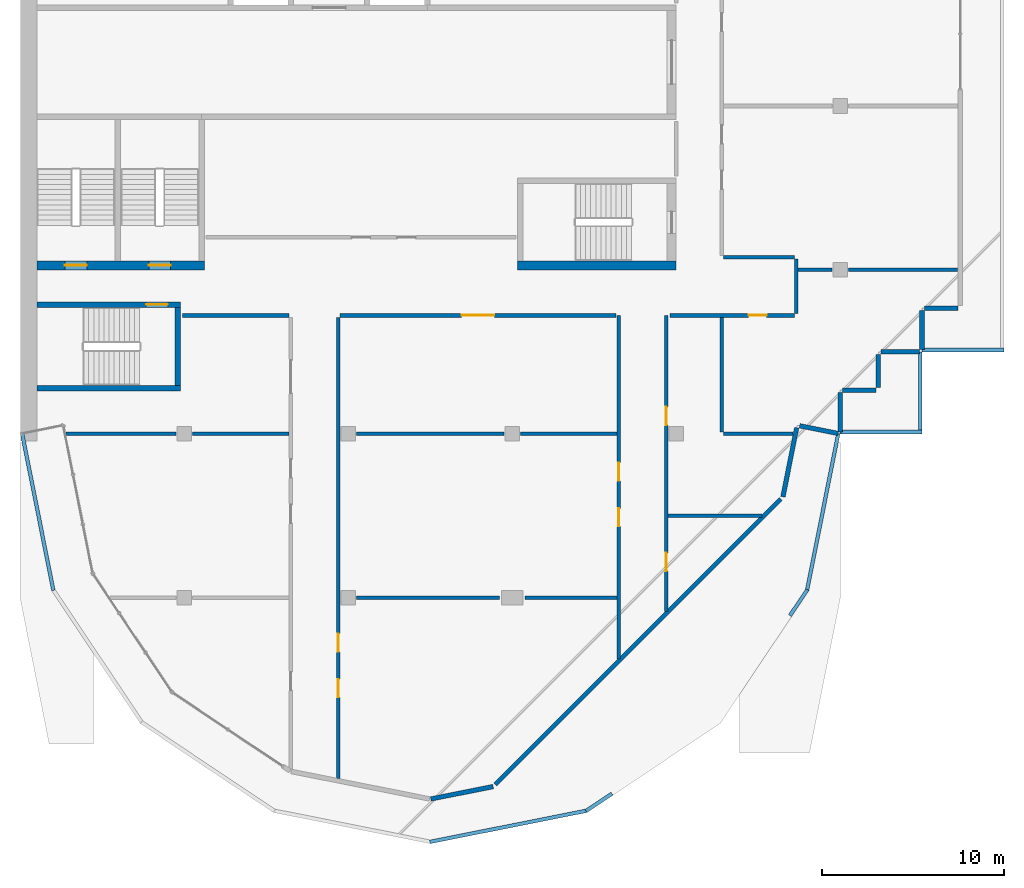
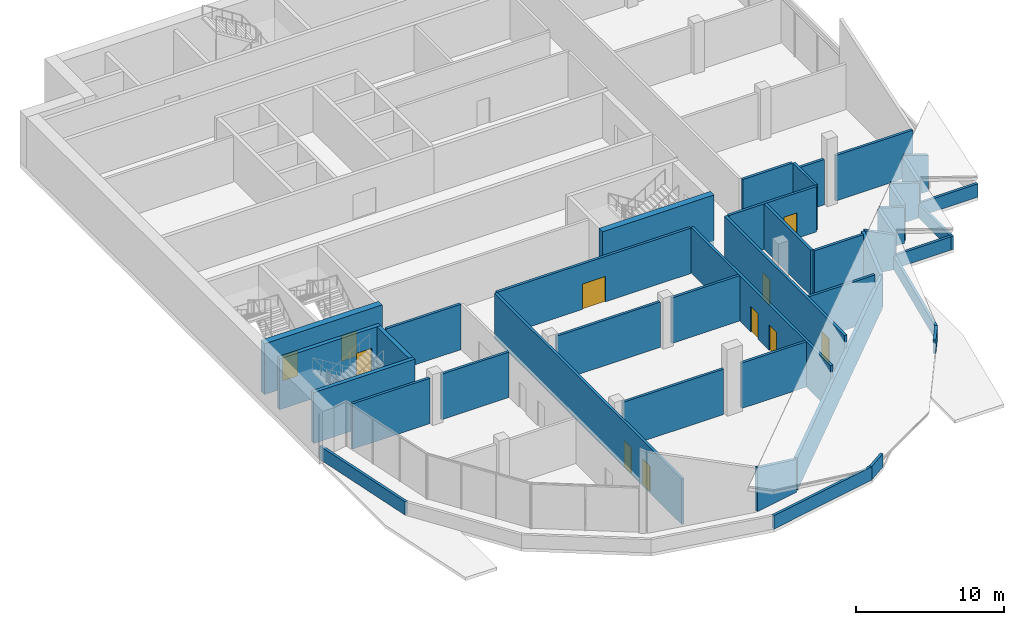
# One storey, part 5 of 11: 42 walls, 11 doors, 11 openings.
"""IFC4 building model written with IfcOpenShell, lengths in metres."""

from ifc_helpers import new_model, si_unit, direction, frame, frame_2d, origin, place, context, subcontext, project, spatial, polyline, rectangle, outline, extrude, material, layer, layer_set, type_object, element, fill, save


model = new_model("IFC4")

# Units and contexts
model_context = context("Model", 3, precision=1e-05, world=origin(), true_north=direction((0.0, 1.0)))
body_context = subcontext(model_context, "Body", "Model", "MODEL_VIEW")
ifc_project = project(units=[si_unit("LENGTHUNIT", "METRE"), si_unit("AREAUNIT", "SQUARE_METRE"), si_unit("VOLUMEUNIT", "CUBIC_METRE"), si_unit("PLANEANGLEUNIT", "RADIAN"), si_unit("MASSUNIT", "GRAM", prefix="KILO")], contexts=[model_context])

# Site, building, storey
site_placement = place(None, origin())
site = spatial("IfcSite", under=ifc_project, at=site_placement, CompositionType="ELEMENT")
building_placement = place(site_placement, origin())
building = spatial("IfcBuilding", under=site, at=building_placement, Name="Hunhe Ridgeline Campus", CompositionType="ELEMENT")
storey_placement = place(building_placement, frame((0.0, 0.0, 303.0)))
storey = spatial("IfcBuildingStorey", under=building, at=storey_placement, Name="L78 Crown", CompositionType="ELEMENT", Elevation=303.0)

# Wall, openings, doors
ifc_material_1 = material(Name="Concrete C50", Category="concrete")
ifc_layer_1 = layer(ifc_material_1, 0.5)
ifc_layer_set_1 = layer_set([ifc_layer_1], Name="Core wall 500 reinforced concrete C50")
wall_type_1 = type_object("IfcWallType", Name="Core wall 500 reinforced concrete C50", PredefinedType="SOLIDWALL", material=ifc_layer_set_1)
wall_1_placement = place(storey_placement, frame((0.89990234375, 63.25, -0.449951171875), z_axis=(0.0, 0.0, 1.0), x_axis=(1.0, 0.0, 0.0)))
wall_1 = element("IfcWall", 1, at=wall_1_placement, inside=storey, type_object=wall_type_1, Name="L78 Crown core wall 3", PredefinedType="SOLIDWALL", context=body_context, shape_type="SweptSolid", body=[
    extrude(rectangle(XDim=9.2001953125, YDim=0.5, at=frame_2d((4.60009765625, 0.0))), origin(), (0.0, 0.0, 1.0), 4.199951171875),
])
opening_1_placement = place(wall_1_placement, frame((1.550048828125, 0.0, 0.449951171875)))
opening_1 = element("IfcOpeningElement", 2, at=opening_1_placement, cuts=wall_1, Name="Opening CD13", PredefinedType="OPENING", context=body_context, shape_type="SweptSolid", body=[
    extrude(rectangle(XDim=1.199951171875, YDim=2.10009765625, at=frame_2d((0.60009765625, 1.050048828125))), frame((0.0, 0.25, 0.0), z_axis=(0.0, -1.0, 0.0), x_axis=(1.0, 0.0, 0.0)), (0.0, 0.0, 1.0), 0.5),
])
opening_2_placement = place(wall_1_placement, frame((6.14990234375, 0.0, 0.449951171875)))
opening_2 = element("IfcOpeningElement", 3, at=opening_2_placement, cuts=wall_1, Name="Opening CD14", PredefinedType="OPENING", context=body_context, shape_type="SweptSolid", body=[
    extrude(rectangle(XDim=1.199951171875, YDim=2.10009765625, at=frame_2d((0.60009765625, 1.050048828125))), frame((0.0, 0.25, 0.0), z_axis=(0.0, -1.0, 0.0), x_axis=(1.0, 0.0, 0.0)), (0.0, 0.0, 1.0), 0.5),
])
ifc_material_2 = material(Name="Hollow metal fire door leaf")
door_type_1 = type_object("IfcDoorType", Name="Stair door 1200x2100 FD60", OperationType="SINGLE_SWING_LEFT", PredefinedType="DOOR", material=ifc_material_2)
door_1_placement = place(opening_1_placement, frame((1.199951171875, 0.0, 0.0), z_axis=(0.0, 0.0, 1.0), x_axis=(-1.0, 0.0, 0.0)))
door_1 = element("IfcDoor", 4, at=door_1_placement, inside=storey, type_object=door_type_1, Name="L78 Crown door S3", OperationType="SINGLE_SWING_RIGHT", OverallHeight=2.10009765625, OverallWidth=1.199951171875, PredefinedType="DOOR", context=body_context, shape_type="SweptSolid", body=[
    extrude(rectangle(XDim=1.199951171875, YDim=2.10009765625, at=frame_2d((0.60009765625, 1.050048828125))), frame((0.0, 0.02490234375, 0.0), z_axis=(0.0, -1.0, 0.0), x_axis=(1.0, 0.0, 0.0)), (0.0, 0.0, 1.0), 0.050048828125),
])
fill(opening_1, door_1)
door_2_placement = place(opening_2_placement, frame((1.199951171875, 0.0, 0.0), z_axis=(0.0, 0.0, 1.0), x_axis=(-1.0, 0.0, 0.0)))
door_2 = element("IfcDoor", 5, at=door_2_placement, inside=storey, type_object=door_type_1, Name="L78 Crown door S4", OperationType="SINGLE_SWING_LEFT", OverallHeight=2.10009765625, OverallWidth=1.199951171875, PredefinedType="DOOR", context=body_context, shape_type="SweptSolid", body=[
    extrude(rectangle(XDim=1.199951171875, YDim=2.10009765625, at=frame_2d((0.60009765625, 1.050048828125))), frame((0.0, 0.02490234375, 0.0), z_axis=(0.0, -1.0, 0.0), x_axis=(1.0, 0.0, 0.0)), (0.0, 0.0, 1.0), 0.050048828125),
])
fill(opening_2, door_2)

# Walls
wall_2_placement = place(storey_placement, frame((27.300048828125, 63.25, -0.449951171875), z_axis=(0.0, 0.0, 1.0), x_axis=(1.0, 0.0, 0.0)))
element("IfcWall", 6, at=wall_2_placement, inside=storey, type_object=wall_type_1, Name="L78 Crown core wall 4", PredefinedType="SOLIDWALL", context=body_context, shape_type="SweptSolid", body=[
    extrude(rectangle(XDim=8.699951171875, YDim=0.5, at=frame_2d((4.35009765625, 0.0))), origin(), (0.0, 0.0, 1.0), 4.199951171875),
])
ifc_material_3 = material(Name="Gypsum board partition")
ifc_layer_2 = layer(ifc_material_3, 0.199951171875)
ifc_layer_set_2 = layer_set([ifc_layer_2], Name="Corridor partition 200 gypsum board on steel studs")
wall_type_2 = type_object("IfcWallType", Name="Corridor partition 200 gypsum board on steel studs", PredefinedType="PARTITIONING", material=ifc_layer_set_2)
wall_3_placement = place(storey_placement, frame((18.449951171875, 45.0, 0.0), z_axis=(0.0, 0.0, 1.0), x_axis=(1.0, 0.0, 0.0)))
element("IfcWall", 7, at=wall_3_placement, inside=storey, type_object=wall_type_2, Name="F-L78 Crown-wall-003", PredefinedType="PARTITIONING", context=body_context, shape_type="SweptSolid", body=[
    extrude(rectangle(XDim=7.85009765625, YDim=0.199951171875, at=frame_2d((3.925048828125, 0.0))), origin(), (0.0, 0.0, 1.0), 3.75),
])
wall_4_placement = place(storey_placement, frame((27.699951171875, 45.0, 0.0), z_axis=(0.0, 0.0, 1.0), x_axis=(1.0, 0.0, 0.0)))
element("IfcWall", 8, at=wall_4_placement, inside=storey, type_object=wall_type_2, Name="F-L78 Crown-wall-004", PredefinedType="PARTITIONING", context=body_context, shape_type="SweptSolid", body=[
    extrude(rectangle(XDim=5.050048828125, YDim=0.199951171875, at=frame_2d((2.52490234375, 0.0))), origin(), (0.0, 0.0, 1.0), 3.75),
])
wall_5_placement = place(storey_placement, frame((35.550048828125, 49.5, 0.0), z_axis=(0.0, 0.0, 1.0), x_axis=(1.0, 0.0, 0.0)))
element("IfcWall", 9, at=wall_5_placement, inside=storey, type_object=wall_type_2, Name="F-L78 Crown-wall-005", PredefinedType="PARTITIONING", context=body_context, shape_type="SweptSolid", body=[
    extrude(rectangle(XDim=5.1650390625, YDim=0.199951171875, at=frame_2d((2.58251953125, 0.0))), origin(), (0.0, 0.0, 1.0), 3.75),
])
wall_6_placement = place(storey_placement, frame((2.503173828125, 54.0, 0.0), z_axis=(0.0, 0.0, 1.0), x_axis=(1.0, 0.0, 0.0)))
element("IfcWall", 10, at=wall_6_placement, inside=storey, type_object=wall_type_2, Name="F-L78 Crown-wall-006", PredefinedType="PARTITIONING", context=body_context, shape_type="SweptSolid", body=[
    extrude(rectangle(XDim=6.046875, YDim=0.199951171875, at=frame_2d((3.0234375, 0.0))), origin(), (0.0, 0.0, 1.0), 3.75),
])
wall_7_placement = place(storey_placement, frame((9.449951171875, 54.0, 0.0), z_axis=(0.0, 0.0, 1.0), x_axis=(1.0, 0.0, 0.0)))
element("IfcWall", 11, at=wall_7_placement, inside=storey, type_object=wall_type_2, Name="F-L78 Crown-wall-007", PredefinedType="PARTITIONING", context=body_context, shape_type="SweptSolid", body=[
    extrude(rectangle(XDim=5.300048828125, YDim=0.199951171875, at=frame_2d((2.64990234375, 0.0))), origin(), (0.0, 0.0, 1.0), 3.75),
])
wall_8_placement = place(storey_placement, frame((18.449951171875, 54.0, 0.0), z_axis=(0.0, 0.0, 1.0), x_axis=(1.0, 0.0, 0.0)))
element("IfcWall", 12, at=wall_8_placement, inside=storey, type_object=wall_type_2, Name="F-L78 Crown-wall-008", PredefinedType="PARTITIONING", context=body_context, shape_type="SweptSolid", body=[
    extrude(rectangle(XDim=8.10009765625, YDim=0.199951171875, at=frame_2d((4.050048828125, 0.0))), origin(), (0.0, 0.0, 1.0), 3.75),
])
wall_9_placement = place(storey_placement, frame((27.449951171875, 54.0, 0.0), z_axis=(0.0, 0.0, 1.0), x_axis=(1.0, 0.0, 0.0)))
element("IfcWall", 13, at=wall_9_placement, inside=storey, type_object=wall_type_2, Name="F-L78 Crown-wall-009", PredefinedType="PARTITIONING", context=body_context, shape_type="SweptSolid", body=[
    extrude(rectangle(XDim=5.300048828125, YDim=0.199951171875, at=frame_2d((2.64990234375, 0.0))), origin(), (0.0, 0.0, 1.0), 3.75),
])
wall_10_placement = place(storey_placement, frame((38.60009765625, 54.0, 0.0), z_axis=(0.0, 0.0, 1.0), x_axis=(1.0, 0.0, 0.0)))
element("IfcWall", 14, at=wall_10_placement, inside=storey, type_object=wall_type_2, Name="F-L78 Crown-wall-010", PredefinedType="PARTITIONING", context=body_context, shape_type="SweptSolid", body=[
    extrude(rectangle(XDim=3.823974609375, YDim=0.199951171875, at=frame_2d((1.912109375, 0.0))), origin(), (0.0, 0.0, 1.0), 3.75),
])
wall_11_placement = place(storey_placement, frame((14.75, 60.5, 0.0), z_axis=(0.0, 0.0, 1.0), x_axis=(-1.0, 0.0, 0.0)))
element("IfcWall", 15, at=wall_11_placement, inside=storey, type_object=wall_type_2, Name="F-L78 Crown-wall-011", PredefinedType="PARTITIONING", context=body_context, shape_type="SweptSolid", body=[
    extrude(rectangle(XDim=5.845947265625, YDim=0.199951171875, at=frame_2d((2.9228515625, 0.0))), origin(), (0.0, 0.0, 1.0), 3.75),
])

# Wall, opening, door
wall_12_placement = place(storey_placement, frame((32.689453125, 60.5, 0.0), z_axis=(0.0, 0.0, 1.0), x_axis=(-1.0, 0.0, 0.0)))
wall_12 = element("IfcWall", 16, at=wall_12_placement, inside=storey, type_object=wall_type_2, Name="F-L78 Crown-wall-012", PredefinedType="PARTITIONING", context=body_context, shape_type="SweptSolid", body=[
    extrude(rectangle(XDim=15.139404296875, YDim=0.199951171875, at=frame_2d((7.56982421875, 0.0))), origin(), (0.0, 0.0, 1.0), 3.75),
])
opening_3_placement = place(wall_12_placement, frame((6.669677734375, 0.0, 0.0)))
opening_3 = element("IfcOpeningElement", 17, at=opening_3_placement, cuts=wall_12, Name="Opening RD2-011", PredefinedType="OPENING", context=body_context, shape_type="SweptSolid", body=[
    extrude(rectangle(XDim=1.800048828125, YDim=2.10009765625, at=frame_2d((0.89990234375, 1.050048828125))), frame((0.0, 0.10009765625, 0.0), z_axis=(0.0, -1.0, 0.0), x_axis=(1.0, 0.0, 0.0)), (0.0, 0.0, 1.0), 0.199951171875),
])
ifc_material_4 = material(Name="Timber door leaf", Category="wood")
door_type_2 = type_object("IfcDoorType", Name="Double fire door 1800x2100 timber FD60", OperationType="DOUBLE_DOOR_SINGLE_SWING", PredefinedType="DOOR", material=ifc_material_4)
door_3_placement = place(opening_3_placement, origin())
door_3 = element("IfcDoor", 18, at=door_3_placement, inside=storey, type_object=door_type_2, Name="F-L78 Crown-door-011", OperationType="DOUBLE_DOOR_SINGLE_SWING", OverallHeight=2.10009765625, OverallWidth=1.800048828125, PredefinedType="DOOR", context=body_context, shape_type="SweptSolid", body=[
    extrude(rectangle(XDim=1.800048828125, YDim=2.10009765625, at=frame_2d((0.89990234375, 1.050048828125))), frame((0.0, 0.02490234375, 0.0), z_axis=(0.0, -1.0, 0.0), x_axis=(1.0, 0.0, 0.0)), (0.0, 0.0, 1.0), 0.050048828125),
])
fill(opening_3, door_3)

wall_13_placement = place(storey_placement, frame((42.5, 60.5, 0.0), z_axis=(0.0, 0.0, 1.0), x_axis=(-1.0, 0.0, 0.0)))
wall_13 = element("IfcWall", 19, at=wall_13_placement, inside=storey, type_object=wall_type_2, Name="F-L78 Crown-wall-013", PredefinedType="PARTITIONING", context=body_context, shape_type="SweptSolid", body=[
    extrude(rectangle(XDim=6.83740234375, YDim=0.199951171875, at=frame_2d((3.418701171875, 0.0))), origin(), (0.0, 0.0, 1.0), 3.75),
])
opening_4_placement = place(wall_13_placement, frame((1.52587890625, 0.0, 0.0)))
opening_4 = element("IfcOpeningElement", 20, at=opening_4_placement, cuts=wall_13, Name="Opening RD1-012", PredefinedType="OPENING", context=body_context, shape_type="SweptSolid", body=[
    extrude(rectangle(XDim=1.0, YDim=2.10009765625, at=frame_2d((0.5, 1.050048828125))), frame((0.0, 0.10009765625, 0.0), z_axis=(0.0, -1.0, 0.0), x_axis=(1.0, 0.0, 0.0)), (0.0, 0.0, 1.0), 0.199951171875),
])
door_type_3 = type_object("IfcDoorType", Name="Single fire door 1000x2100 timber FD60", OperationType="NOTDEFINED", PredefinedType="DOOR", material=ifc_material_4)
door_4_placement = place(opening_4_placement, frame((1.0, 0.0, 0.0), z_axis=(0.0, 0.0, 1.0), x_axis=(-1.0, 0.0, 0.0)))
door_4 = element("IfcDoor", 21, at=door_4_placement, inside=storey, type_object=door_type_3, Name="F-L78 Crown-door-012", OperationType="SINGLE_SWING_RIGHT", OverallHeight=2.10009765625, OverallWidth=1.0, PredefinedType="DOOR", context=body_context, shape_type="SweptSolid", body=[
    extrude(rectangle(XDim=1.0, YDim=2.10009765625, at=frame_2d((0.5, 1.050048828125))), frame((0.0, 0.02490234375, 0.0), z_axis=(0.0, -1.0, 0.0), x_axis=(1.0, 0.0, 0.0)), (0.0, 0.0, 1.0), 0.050048828125),
])
fill(opening_4, door_4)

# Walls
wall_14_placement = place(storey_placement, frame((42.699951171875, 63.0, 0.0), z_axis=(0.0, 0.0, 1.0), x_axis=(1.0, 0.0, 0.0)))
element("IfcWall", 22, at=wall_14_placement, inside=storey, type_object=wall_type_2, Name="F-L78 Crown-wall-014", PredefinedType="PARTITIONING", context=body_context, shape_type="SweptSolid", body=[
    extrude(rectangle(XDim=1.85009765625, YDim=0.199951171875, at=frame_2d((0.925048828125, 0.0))), origin(), (0.0, 0.0, 1.0), 3.75),
])
wall_15_placement = place(storey_placement, frame((45.449951171875, 63.0, 0.0), z_axis=(0.0, 0.0, 1.0), x_axis=(1.0, 0.0, 0.0)))
element("IfcWall", 23, at=wall_15_placement, inside=storey, type_object=wall_type_2, Name="F-L78 Crown-wall-015", PredefinedType="PARTITIONING", context=body_context, shape_type="SweptSolid", body=[
    extrude(rectangle(XDim=6.004150390625, YDim=0.199951171875, at=frame_2d((3.001953125, 0.0))), origin(), (0.0, 0.0, 1.0), 3.75),
])
wall_16_placement = place(storey_placement, frame((38.60009765625, 63.699951171875, 0.0), z_axis=(0.0, 0.0, 1.0), x_axis=(1.0, 0.0, 0.0)))
element("IfcWall", 24, at=wall_16_placement, inside=storey, type_object=wall_type_2, Name="F-L78 Crown-wall-016", PredefinedType="PARTITIONING", context=body_context, shape_type="SweptSolid", body=[
    extrude(rectangle(XDim=3.89990234375, YDim=0.199951171875, at=frame_2d((1.949951171875, 0.0))), origin(), (0.0, 0.0, 1.0), 3.75),
])

# Wall, openings, doors
wall_17_placement = place(storey_placement, frame((17.449951171875, 60.39990234375, 0.0), z_axis=(0.0, 0.0, 1.0), x_axis=(0.0, -1.0, 0.0)))
wall_17 = element("IfcWall", 25, at=wall_17_placement, inside=storey, type_object=wall_type_2, Name="F-L78 Crown-wall-028", PredefinedType="PARTITIONING", context=body_context, shape_type="SweptSolid", body=[
    extrude(rectangle(XDim=25.3193359375, YDim=0.199951171875, at=frame_2d((12.65966796875, 0.0))), origin(), (0.0, 0.0, 1.0), 3.75),
])
opening_5_placement = place(wall_17_placement, frame((19.8642578125, 0.0, 0.0)))
opening_5 = element("IfcOpeningElement", 26, at=opening_5_placement, cuts=wall_17, Name="Opening RD1-001", PredefinedType="OPENING", context=body_context, shape_type="SweptSolid", body=[
    extrude(rectangle(XDim=1.0, YDim=2.10009765625, at=frame_2d((0.5, 1.050048828125))), frame((0.0, 0.10009765625, 0.0), z_axis=(0.0, -1.0, 0.0), x_axis=(1.0, 0.0, 0.0)), (0.0, 0.0, 1.0), 0.199951171875),
])
opening_6_placement = place(wall_17_placement, frame((17.3642578125, 0.0, 0.0)))
opening_6 = element("IfcOpeningElement", 27, at=opening_6_placement, cuts=wall_17, Name="Opening RD1-003", PredefinedType="OPENING", context=body_context, shape_type="SweptSolid", body=[
    extrude(rectangle(XDim=1.0, YDim=2.10009765625, at=frame_2d((0.5, 1.050048828125))), frame((0.0, 0.10009765625, 0.0), z_axis=(0.0, -1.0, 0.0), x_axis=(1.0, 0.0, 0.0)), (0.0, 0.0, 1.0), 0.199951171875),
])
door_5_placement = place(opening_5_placement, frame((1.0, 0.0, 0.0), z_axis=(0.0, 0.0, 1.0), x_axis=(-1.0, 0.0, 0.0)))
door_5 = element("IfcDoor", 28, at=door_5_placement, inside=storey, type_object=door_type_3, Name="F-L78 Crown-door-001", OperationType="SINGLE_SWING_RIGHT", OverallHeight=2.10009765625, OverallWidth=1.0, PredefinedType="DOOR", context=body_context, shape_type="SweptSolid", body=[
    extrude(rectangle(XDim=1.0, YDim=2.10009765625, at=frame_2d((0.5, 1.050048828125))), frame((0.0, 0.02490234375, 0.0), z_axis=(0.0, -1.0, 0.0), x_axis=(1.0, 0.0, 0.0)), (0.0, 0.0, 1.0), 0.050048828125),
])
fill(opening_5, door_5)
door_6_placement = place(opening_6_placement, frame((1.0, 0.0, 0.0), z_axis=(0.0, 0.0, 1.0), x_axis=(-1.0, 0.0, 0.0)))
door_6 = element("IfcDoor", 29, at=door_6_placement, inside=storey, type_object=door_type_3, Name="F-L78 Crown-door-003", OperationType="SINGLE_SWING_RIGHT", OverallHeight=2.10009765625, OverallWidth=1.0, PredefinedType="DOOR", context=body_context, shape_type="SweptSolid", body=[
    extrude(rectangle(XDim=1.0, YDim=2.10009765625, at=frame_2d((0.5, 1.050048828125))), frame((0.0, 0.02490234375, 0.0), z_axis=(0.0, -1.0, 0.0), x_axis=(1.0, 0.0, 0.0)), (0.0, 0.0, 1.0), 0.050048828125),
])
fill(opening_6, door_6)

wall_18_placement = place(storey_placement, frame((32.85009765625, 41.634765625, 0.0), z_axis=(0.0, 0.0, 1.0), x_axis=(0.0, 1.0, 0.0)))
wall_18 = element("IfcWall", 30, at=wall_18_placement, inside=storey, type_object=wall_type_2, Name="F-L78 Crown-wall-030", PredefinedType="PARTITIONING", context=body_context, shape_type="SweptSolid", body=[
    extrude(rectangle(XDim=18.865234375, YDim=0.199951171875, at=frame_2d((9.4326171875, 0.0))), origin(), (0.0, 0.0, 1.0), 3.75),
])
opening_7_placement = place(wall_18_placement, frame((7.28076171875, 0.0, 0.0)))
opening_7 = element("IfcOpeningElement", 31, at=opening_7_placement, cuts=wall_18, Name="Opening RD1-005", PredefinedType="OPENING", context=body_context, shape_type="SweptSolid", body=[
    extrude(rectangle(XDim=1.0, YDim=2.10009765625, at=frame_2d((0.5, 1.050048828125))), frame((0.0, 0.10009765625, 0.0), z_axis=(0.0, -1.0, 0.0), x_axis=(1.0, 0.0, 0.0)), (0.0, 0.0, 1.0), 0.199951171875),
])
opening_8_placement = place(wall_18_placement, frame((9.78076171875, 0.0, 0.0)))
opening_8 = element("IfcOpeningElement", 32, at=opening_8_placement, cuts=wall_18, Name="Opening RD1-007", PredefinedType="OPENING", context=body_context, shape_type="SweptSolid", body=[
    extrude(rectangle(XDim=1.0, YDim=2.10009765625, at=frame_2d((0.5, 1.050048828125))), frame((0.0, 0.10009765625, 0.0), z_axis=(0.0, -1.0, 0.0), x_axis=(1.0, 0.0, 0.0)), (0.0, 0.0, 1.0), 0.199951171875),
])
door_7_placement = place(opening_7_placement, frame((1.0, 0.0, 0.0), z_axis=(0.0, 0.0, 1.0), x_axis=(-1.0, 0.0, 0.0)))
door_7 = element("IfcDoor", 33, at=door_7_placement, inside=storey, type_object=door_type_3, Name="F-L78 Crown-door-005", OperationType="SINGLE_SWING_RIGHT", OverallHeight=2.10009765625, OverallWidth=1.0, PredefinedType="DOOR", context=body_context, shape_type="SweptSolid", body=[
    extrude(rectangle(XDim=1.0, YDim=2.10009765625, at=frame_2d((0.5, 1.050048828125))), frame((0.0, 0.02490234375, 0.0), z_axis=(0.0, -1.0, 0.0), x_axis=(1.0, 0.0, 0.0)), (0.0, 0.0, 1.0), 0.050048828125),
])
fill(opening_7, door_7)
door_8_placement = place(opening_8_placement, frame((1.0, 0.0, 0.0), z_axis=(0.0, 0.0, 1.0), x_axis=(-1.0, 0.0, 0.0)))
door_8 = element("IfcDoor", 34, at=door_8_placement, inside=storey, type_object=door_type_3, Name="F-L78 Crown-door-007", OperationType="SINGLE_SWING_LEFT", OverallHeight=2.10009765625, OverallWidth=1.0, PredefinedType="DOOR", context=body_context, shape_type="SweptSolid", body=[
    extrude(rectangle(XDim=1.0, YDim=2.10009765625, at=frame_2d((0.5, 1.050048828125))), frame((0.0, 0.02490234375, 0.0), z_axis=(0.0, -1.0, 0.0), x_axis=(1.0, 0.0, 0.0)), (0.0, 0.0, 1.0), 0.050048828125),
])
fill(opening_8, door_8)

wall_19_placement = place(storey_placement, frame((35.449951171875, 60.5, 0.0), z_axis=(0.0, 0.0, 1.0), x_axis=(0.0, -1.0, 0.0)))
wall_19 = element("IfcWall", 35, at=wall_19_placement, inside=storey, type_object=wall_type_2, Name="F-L78 Crown-wall-031", PredefinedType="PARTITIONING", context=body_context, shape_type="SweptSolid", body=[
    extrude(rectangle(XDim=16.26513671875, YDim=0.199951171875, at=frame_2d((8.132568359375, 0.0))), origin(), (0.0, 0.0, 1.0), 3.75),
])
opening_9_placement = place(wall_19_placement, frame((13.03662109375, 0.0, 0.0)))
opening_9 = element("IfcOpeningElement", 36, at=opening_9_placement, cuts=wall_19, Name="Opening RD1-004", PredefinedType="OPENING", context=body_context, shape_type="SweptSolid", body=[
    extrude(rectangle(XDim=1.0, YDim=2.10009765625, at=frame_2d((0.5, 1.050048828125))), frame((0.0, 0.10009765625, 0.0), z_axis=(0.0, -1.0, 0.0), x_axis=(1.0, 0.0, 0.0)), (0.0, 0.0, 1.0), 0.199951171875),
])
opening_10_placement = place(wall_19_placement, frame((5.014892578125, 0.0, 0.0)))
opening_10 = element("IfcOpeningElement", 37, at=opening_10_placement, cuts=wall_19, Name="Opening RD1-009", PredefinedType="OPENING", context=body_context, shape_type="SweptSolid", body=[
    extrude(rectangle(XDim=1.0, YDim=2.10009765625, at=frame_2d((0.5, 1.050048828125))), frame((0.0, 0.10009765625, 0.0), z_axis=(0.0, -1.0, 0.0), x_axis=(1.0, 0.0, 0.0)), (0.0, 0.0, 1.0), 0.199951171875),
])
door_9_placement = place(opening_9_placement, origin())
door_9 = element("IfcDoor", 38, at=door_9_placement, inside=storey, type_object=door_type_3, Name="F-L78 Crown-door-004", OperationType="SINGLE_SWING_LEFT", OverallHeight=2.10009765625, OverallWidth=1.0, PredefinedType="DOOR", context=body_context, shape_type="SweptSolid", body=[
    extrude(rectangle(XDim=1.0, YDim=2.10009765625, at=frame_2d((0.5, 1.050048828125))), frame((0.0, 0.02490234375, 0.0), z_axis=(0.0, -1.0, 0.0), x_axis=(1.0, 0.0, 0.0)), (0.0, 0.0, 1.0), 0.050048828125),
])
fill(opening_9, door_9)
door_10_placement = place(opening_10_placement, frame((1.0, 0.0, 0.0), z_axis=(0.0, 0.0, 1.0), x_axis=(-1.0, 0.0, 0.0)))
door_10 = element("IfcDoor", 39, at=door_10_placement, inside=storey, type_object=door_type_3, Name="F-L78 Crown-door-009", OperationType="SINGLE_SWING_RIGHT", OverallHeight=2.10009765625, OverallWidth=1.0, PredefinedType="DOOR", context=body_context, shape_type="SweptSolid", body=[
    extrude(rectangle(XDim=1.0, YDim=2.10009765625, at=frame_2d((0.5, 1.050048828125))), frame((0.0, 0.02490234375, 0.0), z_axis=(0.0, -1.0, 0.0), x_axis=(1.0, 0.0, 0.0)), (0.0, 0.0, 1.0), 0.050048828125),
])
fill(opening_10, door_10)

# Walls
wall_20_placement = place(storey_placement, frame((38.5, 60.39990234375, 0.0), z_axis=(0.0, 0.0, 1.0), x_axis=(0.0, -1.0, 0.0)))
element("IfcWall", 40, at=wall_20_placement, inside=storey, type_object=wall_type_2, Name="F-L78 Crown-wall-035", PredefinedType="PARTITIONING", context=body_context, shape_type="SweptSolid", body=[
    extrude(rectangle(XDim=6.2998046875, YDim=0.199951171875, at=frame_2d((3.14990234375, 0.0))), origin(), (0.0, 0.0, 1.0), 3.75),
])
wall_21_placement = place(storey_placement, frame((42.60009765625, 63.60009765625, 0.0), z_axis=(0.0, 0.0, 1.0), x_axis=(0.0, -1.0, 0.0)))
element("IfcWall", 41, at=wall_21_placement, inside=storey, type_object=wall_type_2, Name="F-L78 Crown-wall-037", PredefinedType="PARTITIONING", context=body_context, shape_type="SweptSolid", body=[
    extrude(rectangle(XDim=3.0, YDim=0.199951171875, at=frame_2d((1.5, 0.0))), origin(), (0.0, 0.0, 1.0), 3.75),
])
ifc_layer_3 = layer(ifc_material_1, 0.25)
ifc_layer_set_3 = layer_set([ifc_layer_3], Name="Crown cladding wall 250 Concrete C50")
wall_type_3 = type_object("IfcWallType", Name="Crown cladding wall 250 Concrete C50", PredefinedType="SOLIDWALL", material=ifc_layer_set_3)
wall_22_placement = place(storey_placement, frame((22.5341796875, 33.954833984375, 0.0), z_axis=(0.0, 0.0, 1.0), x_axis=(0.980779359931, 0.19512008388, 0.0)))
element("IfcWall", 42, at=wall_22_placement, inside=storey, type_object=wall_type_3, Name="Crown cladding wall", PredefinedType="SOLIDWALL", context=body_context, shape_type="SweptSolid", body=[
    extrude(outline(polyline([(0.0, 0.0), (3.488525390625, 0.0), (3.488525390625, 2.699951171875), (0.0, 3.61376953125), (0.0, 0.0)])), frame((0.0, 0.125, 0.0), z_axis=(0.0, -1.0, 0.0), x_axis=(1.0, 0.0, 0.0)), (0.0, 0.0, 1.0), 0.25),
])
wall_23_placement = place(storey_placement, frame((41.86474609375, 50.54443359375, 0.0), z_axis=(0.0, 0.0, 1.0), x_axis=(0.195059531828, 0.98079140445, 0.0)))
element("IfcWall", 43, at=wall_23_placement, inside=storey, type_object=wall_type_3, Name="Crown cladding wall", PredefinedType="SOLIDWALL", context=body_context, shape_type="SweptSolid", body=[
    extrude(outline(polyline([(0.0, 0.0), (3.8662109375, 0.0), (3.866455078125, 3.712646484375), (0.0, 2.699951171875), (0.0, 0.0)])), frame((0.0, 0.125, 0.0), z_axis=(0.0, -1.0, 0.0), x_axis=(1.0, 0.0, 0.0)), (0.0, 0.0, 1.0), 0.25),
])
wall_24_placement = place(storey_placement, frame((42.77783203125, 54.442626953125, 0.0), z_axis=(0.0, 0.0, 1.0), x_axis=(0.980819942744, -0.194915981681, 0.0)))
element("IfcWall", 44, at=wall_24_placement, inside=storey, type_object=wall_type_3, Name="Crown cladding wall", PredefinedType="SOLIDWALL", context=body_context, shape_type="SweptSolid", body=[
    extrude(outline(polyline([(0.0, 0.0), (2.15185546875, 0.0), (2.152099609375, 2.8515625), (0.0, 3.695068359375), (0.0, 0.0)])), frame((0.0, 0.125, 0.0), z_axis=(0.0, -1.0, 0.0), x_axis=(1.0, 0.0, 0.0)), (0.0, 0.0, 1.0), 0.25),
])
wall_25_placement = place(storey_placement, frame((44.9990234375, 54.11376953125, 0.0), z_axis=(0.0, 0.0, 1.0), x_axis=(0.000113455865, 0.999999993564, 0.0)))
element("IfcWall", 45, at=wall_25_placement, inside=storey, type_object=wall_type_3, Name="Crown cladding wall", PredefinedType="SOLIDWALL", context=body_context, shape_type="SweptSolid", body=[
    extrude(outline(polyline([(0.0, 0.0), (2.15185546875, 0.0), (2.15185546875, 3.562255859375), (0.0, 2.844970703125), (0.0, 0.0)])), frame((0.0, 0.125, 0.0), z_axis=(0.0, -1.0, 0.0), x_axis=(1.0, 0.0, 0.0)), (0.0, 0.0, 1.0), 0.25),
])
wall_26_placement = place(storey_placement, frame((45.13427734375, 56.400634765625, 0.0), z_axis=(0.0, 0.0, 1.0), x_axis=(0.999999991099, 0.00013342228, 0.0)))
element("IfcWall", 46, at=wall_26_placement, inside=storey, type_object=wall_type_3, Name="Crown cladding wall", PredefinedType="SOLIDWALL", context=body_context, shape_type="SweptSolid", body=[
    extrude(outline(polyline([(0.0, 0.0), (1.829833984375, 0.0), (1.829833984375, 2.952392578125), (0.0, 3.562255859375), (0.0, 0.0)])), frame((0.0, 0.125, 0.0), z_axis=(0.0, -1.0, 0.0), x_axis=(1.0, 0.0, 0.0)), (0.0, 0.0, 1.0), 0.25),
])
wall_27_placement = place(storey_placement, frame((47.09912109375, 56.535888671875, 0.0), z_axis=(0.0, 0.0, 1.0), x_axis=(0.000266808955, 0.999999964406, 0.0)))
element("IfcWall", 47, at=wall_27_placement, inside=storey, type_object=wall_type_3, Name="Crown cladding wall", PredefinedType="SOLIDWALL", context=body_context, shape_type="SweptSolid", body=[
    extrude(outline(polyline([(0.0, 0.0), (1.830078125, 0.0), (1.830078125, 3.562255859375), (0.0, 2.952392578125), (0.0, 0.0)])), frame((0.0, 0.125, 0.0), z_axis=(0.0, -1.0, 0.0), x_axis=(1.0, 0.0, 0.0)), (0.0, 0.0, 1.0), 0.25),
])
wall_28_placement = place(storey_placement, frame((47.234619140625, 58.5009765625, 0.0), z_axis=(0.0, 0.0, 1.0), x_axis=(1.0, 0.0, 0.0)))
element("IfcWall", 48, at=wall_28_placement, inside=storey, type_object=wall_type_3, Name="Crown cladding wall", PredefinedType="SOLIDWALL", context=body_context, shape_type="SweptSolid", body=[
    extrude(outline(polyline([(0.0, 0.0), (2.12939453125, 0.0), (2.12939453125, 2.8525390625), (0.0, 3.562255859375), (0.0, 0.0)])), frame((0.0, 0.125, 0.0), z_axis=(0.0, -1.0, 0.0), x_axis=(1.0, 0.0, 0.0)), (0.0, 0.0, 1.0), 0.25),
])
wall_29_placement = place(storey_placement, frame((49.4990234375, 58.635986328125, 0.0), z_axis=(0.0, 0.0, 1.0), x_axis=(0.00022925263, 0.999999973722, 0.0)))
element("IfcWall", 49, at=wall_29_placement, inside=storey, type_object=wall_type_3, Name="Crown cladding wall", PredefinedType="SOLIDWALL", context=body_context, shape_type="SweptSolid", body=[
    extrude(outline(polyline([(0.0, 0.0), (2.1298828125, 0.0), (2.1298828125, 3.562255859375), (0.0, 2.852294921875), (0.0, 0.0)])), frame((0.0, 0.125, 0.0), z_axis=(0.0, -1.0, 0.0), x_axis=(1.0, 0.0, 0.0)), (0.0, 0.0, 1.0), 0.25),
])
wall_30_placement = place(storey_placement, frame((49.634521484375, 60.90087890625, 0.0), z_axis=(0.0, 0.0, 1.0), x_axis=(1.0, 0.0, 0.0)))
element("IfcWall", 50, at=wall_30_placement, inside=storey, type_object=wall_type_3, Name="Crown cladding wall", PredefinedType="SOLIDWALL", context=body_context, shape_type="SweptSolid", body=[
    extrude(outline(polyline([(0.0, 0.0), (1.82958984375, 0.0), (1.82958984375, 2.952392578125), (0.0, 3.562255859375), (0.0, 0.0)])), frame((0.0, 0.125, 0.0), z_axis=(0.0, -1.0, 0.0), x_axis=(1.0, 0.0, 0.0)), (0.0, 0.0, 1.0), 0.25),
])
ifc_material_5 = material(Name="Concrete C30", Category="concrete")
ifc_layer_4 = layer(ifc_material_5, 0.25)
ifc_layer_set_4 = layer_set([ifc_layer_4], Name="Crown low-edge wall 250 Concrete C30")
wall_type_4 = type_object("IfcWallType", Name="Crown low-edge wall 250 Concrete C30", PredefinedType="SOLIDWALL", material=ifc_layer_set_4)
wall_31_placement = place(storey_placement, frame((41.74365234375, 50.423583984375, 0.0), z_axis=(0.0, 0.0, 1.0), x_axis=(-0.707101271743, -0.707112290587, 0.0)))
element("IfcWall", 51, at=wall_31_placement, inside=storey, type_object=wall_type_4, Name="Crown low-edge wall", PredefinedType="SOLIDWALL", context=body_context, shape_type="SweptSolid", body=[
    extrude(rectangle(XDim=22.15673828125, YDim=0.25, at=frame_2d((11.078369140625, 0.0))), origin(), (0.0, 0.0, 1.0), 2.699951171875),
])
ifc_layer_5 = layer(ifc_material_5, 0.199951171875)
ifc_layer_set_5 = layer_set([ifc_layer_5], Name="Roof parapet wall 200 Concrete C30")
wall_type_5 = type_object("IfcWallType", Name="Roof parapet wall 200 Concrete C30", PredefinedType="PARAPET", material=ifc_layer_set_5)
for number, where, z_axis, x_axis, name in (
    (52, (0.09814453125, 54.01953125, 0.0), (0.0, 0.0, 1.0), (0.195083865027, -0.980786564756, 0.0), "Roof parapet 1"),
    (53, (22.48046875, 31.59814453125, 0.0), (0.0, 0.0, 1.0), (0.980786564756, 0.195083865027, 0.0), "Roof parapet 5"),
):
    element("IfcWall", number, at=place(storey_placement, frame(where, z_axis=z_axis, x_axis=x_axis)), inside=storey, type_object=wall_type_5, Name=name, PredefinedType="PARAPET", context=body_context, shape_type="SweptSolid", body=[
        extrude(rectangle(XDim=8.779052734375, YDim=0.199951171875, at=frame_2d((4.3896484375, 0.0))), origin(), (0.0, 0.0, 1.0), 1.10009765625),
    ])
for number, where, z_axis, x_axis, name in (
    (54, (31.054931640625, 33.2958984375, 0.0), (0.0, 0.0, 1.0), (0.831457308814, 0.555588646051, 0.0), "Roof parapet 6"),
    (55, (42.253173828125, 44.02197265625, 0.0), (0.0, 0.0, 1.0), (0.555588646051, 0.831457308814, 0.0), "Roof parapet 7"),
):
    element("IfcWall", number, at=place(storey_placement, frame(where, z_axis=z_axis, x_axis=x_axis)), inside=storey, type_object=wall_type_5, Name=name, PredefinedType="PARAPET", context=body_context, shape_type="SweptSolid", body=[
        extrude(rectangle(XDim=1.711669921875, YDim=0.199951171875, at=frame_2d((0.85595703125, 0.0))), origin(), (0.0, 0.0, 1.0), 1.10009765625),
    ])
wall_32_placement = place(storey_placement, frame((43.189208984375, 45.4091796875, 0.0), z_axis=(0.0, 0.0, 1.0), x_axis=(0.195083865027, 0.980786564756, 0.0)))
element("IfcWall", 56, at=wall_32_placement, inside=storey, type_object=wall_type_5, Name="Roof parapet 8", PredefinedType="PARAPET", context=body_context, shape_type="SweptSolid", body=[
    extrude(rectangle(XDim=8.779052734375, YDim=0.199951171875, at=frame_2d((4.3896484375, 0.0))), origin(), (0.0, 0.0, 1.0), 1.10009765625),
])
for number, where, z_axis, x_axis, name in (
    (57, (45.0, 54.10009765625, 0.0), (0.0, 0.0, 1.0), (1.0, 0.0, 0.0), "Roof parapet 9"),
    (58, (49.39990234375, 54.0, 0.0), (0.0, 0.0, 1.0), (0.0, 1.0, 0.0), "Roof parapet 10"),
    (59, (49.5, 58.60009765625, 0.0), (0.0, 0.0, 1.0), (1.0, 0.0, 0.0), "Roof parapet 11"),
):
    element("IfcWall", number, at=place(storey_placement, frame(where, z_axis=z_axis, x_axis=x_axis)), inside=storey, type_object=wall_type_5, Name=name, PredefinedType="PARAPET", context=body_context, shape_type="SweptSolid", body=[
        extrude(rectangle(XDim=4.5, YDim=0.199951171875, at=frame_2d((2.25, 0.0))), origin(), (0.0, 0.0, 1.0), 1.10009765625),
    ])
ifc_layer_6 = layer(ifc_material_1, 0.300048828125)
ifc_layer_set_6 = layer_set([ifc_layer_6], Name="Stair wall 300 reinforced concrete C50")
wall_type_6 = type_object("IfcWallType", Name="Stair wall 300 reinforced concrete C50", PredefinedType="SOLIDWALL", material=ifc_layer_set_6)
wall_33_placement = place(storey_placement, frame((0.89990234375, 56.5, -0.449951171875), z_axis=(0.0, 0.0, 1.0), x_axis=(1.0, 0.0, 0.0)))
element("IfcWall", 60, at=wall_33_placement, inside=storey, type_object=wall_type_6, Name="L78 Crown core wall 1", PredefinedType="SOLIDWALL", context=body_context, shape_type="SweptSolid", body=[
    extrude(rectangle(XDim=7.900146484375, YDim=0.300048828125, at=frame_2d((3.9501953125, 0.0))), origin(), (0.0, 0.0, 1.0), 4.199951171875),
])

# Wall, opening, door
wall_34_placement = place(storey_placement, frame((0.89990234375, 61.10009765625, -0.449951171875), z_axis=(0.0, 0.0, 1.0), x_axis=(1.0, 0.0, 0.0)))
wall_34 = element("IfcWall", 61, at=wall_34_placement, inside=storey, type_object=wall_type_6, Name="L78 Crown core wall 2", PredefinedType="SOLIDWALL", context=body_context, shape_type="SweptSolid", body=[
    extrude(rectangle(XDim=7.900146484375, YDim=0.300048828125, at=frame_2d((3.9501953125, 0.0))), origin(), (0.0, 0.0, 1.0), 4.199951171875),
])
opening_11_placement = place(wall_34_placement, frame((6.0, 0.0, 0.449951171875)))
opening_11 = element("IfcOpeningElement", 62, at=opening_11_placement, cuts=wall_34, Name="Opening CD22", PredefinedType="OPENING", context=body_context, shape_type="SweptSolid", body=[
    extrude(rectangle(XDim=1.199951171875, YDim=2.10009765625, at=frame_2d((0.60009765625, 1.050048828125))), frame((0.0, 0.14990234375, 0.0), z_axis=(0.0, -1.0, 0.0), x_axis=(1.0, 0.0, 0.0)), (0.0, 0.0, 1.0), 0.300048828125),
])
door_11_placement = place(opening_11_placement, origin())
door_11 = element("IfcDoor", 63, at=door_11_placement, inside=storey, type_object=door_type_1, Name="L78 Crown door W2", OperationType="SINGLE_SWING_RIGHT", OverallHeight=2.10009765625, OverallWidth=1.199951171875, PredefinedType="DOOR", context=body_context, shape_type="SweptSolid", body=[
    extrude(rectangle(XDim=1.199951171875, YDim=2.10009765625, at=frame_2d((0.60009765625, 1.050048828125))), frame((0.0, 0.02490234375, 0.0), z_axis=(0.0, -1.0, 0.0), x_axis=(1.0, 0.0, 0.0)), (0.0, 0.0, 1.0), 0.050048828125),
])
fill(opening_11, door_11)

# Wall
wall_35_placement = place(storey_placement, frame((8.64990234375, 56.64990234375, -0.449951171875), z_axis=(0.0, 0.0, 1.0), x_axis=(0.0, 1.0, 0.0)))
element("IfcWall", 64, at=wall_35_placement, inside=storey, type_object=wall_type_6, Name="L78 Crown core wall 23", PredefinedType="SOLIDWALL", context=body_context, shape_type="SweptSolid", body=[
    extrude(rectangle(XDim=4.300048828125, YDim=0.300048828125, at=frame_2d((2.14990234375, 0.0))), origin(), (0.0, 0.0, 1.0), 4.199951171875),
])

save(model, "model.ifc")
